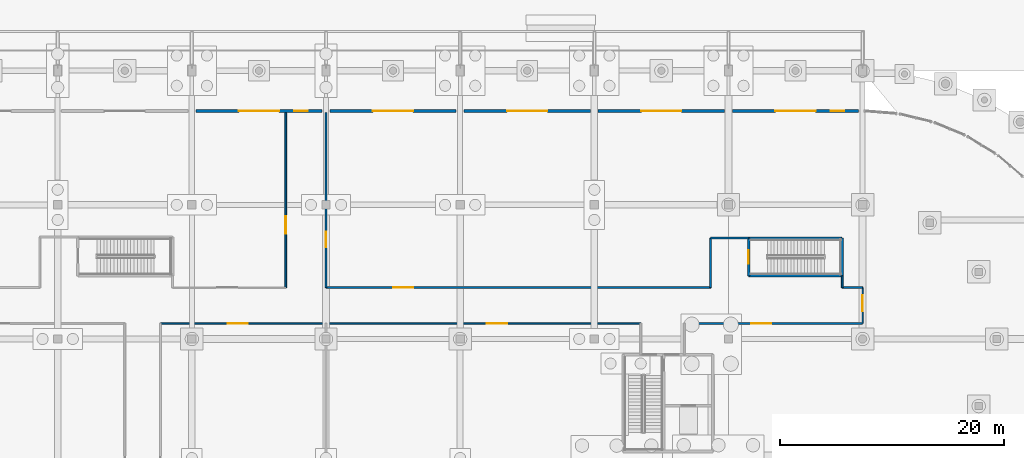
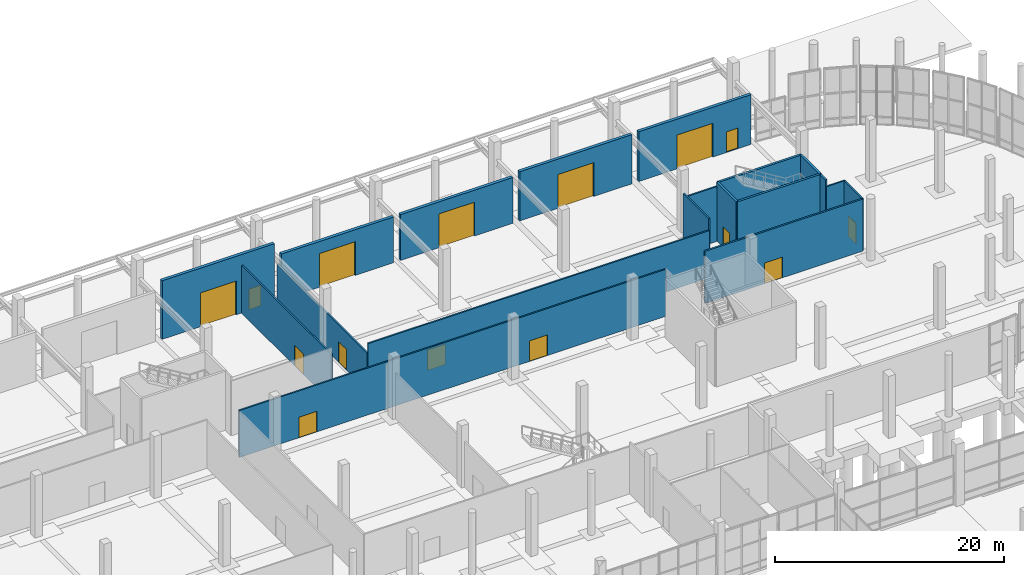
# One storey, part 96 of 117: 19 walls, 15 doors, 15 openings.
"""IFC4 building model written with IfcOpenShell, lengths in metres."""

from ifc_helpers import new_model, si_unit, direction, frame, frame_2d, origin, place, context, subcontext, project, spatial, rectangle, extrude, material, layer, layer_set, type_object, element, fill, save


model = new_model("IFC4")

# Units and contexts
model_context = context("Model", 3, precision=1e-05, world=origin(), true_north=direction((0.0, 1.0)))
body_context = subcontext(model_context, "Body", "Model", "MODEL_VIEW")
ifc_project = project(units=[si_unit("LENGTHUNIT", "METRE"), si_unit("AREAUNIT", "SQUARE_METRE"), si_unit("VOLUMEUNIT", "CUBIC_METRE"), si_unit("PLANEANGLEUNIT", "RADIAN"), si_unit("MASSUNIT", "GRAM", prefix="KILO")], contexts=[model_context])

# Site, building, storey
site_placement = place(None, origin())
site = spatial("IfcSite", under=ifc_project, at=site_placement, CompositionType="ELEMENT")
building_placement = place(site_placement, origin())
building = spatial("IfcBuilding", under=site, at=building_placement, Name="Kamomehara Wholesale Market", CompositionType="ELEMENT")
storey_placement = place(building_placement, origin())
storey = spatial("IfcBuildingStorey", under=building, at=storey_placement, Name="L00", CompositionType="ELEMENT", Elevation=0.0)

# Wall, openings, doors
ifc_material_1 = material(Name="Precast concrete Fc45 (C40/50)", Category="concrete")
ifc_layer_1 = layer(ifc_material_1, 0.300048828125)
ifc_layer_set_1 = layer_set([ifc_layer_1], Name="Precast concrete Fc45 (C40/50)")
wall_type_1 = type_object("IfcWallType", Name="EW-PC-300", PredefinedType="SOLIDWALL", material=ifc_layer_set_1)
wall_1_placement = place(storey_placement, frame((120.35009765625, 152.39990234375, 0.0), z_axis=(0.0, 0.0, 1.0), x_axis=(1.0, 0.0, 0.0)))
wall_1 = element("IfcWall", 1, at=wall_1_placement, inside=storey, type_object=wall_type_1, Name="Exterior wall EW-PC-300 63", PredefinedType="SOLIDWALL", context=body_context, shape_type="SweptSolid", body=[
    extrude(rectangle(XDim=11.2998046875, YDim=0.300048828125, at=frame_2d((5.64990234375, 0.0))), origin(), (0.0, 0.0, 1.0), 6.235107421875),
])
opening_1_placement = place(wall_1_placement, frame((3.85009765625, 0.0, 0.0)))
opening_1 = element("IfcOpeningElement", 2, at=opening_1_placement, cuts=wall_1, Name="Opening DK-14", PredefinedType="OPENING", context=body_context, shape_type="SweptSolid", body=[
    extrude(rectangle(XDim=3.60009765625, YDim=3.60009765625, at=frame_2d((1.800048828125, 1.800048828125))), frame((0.0, 0.1650390625, 0.0), z_axis=(0.0, -1.0, 0.0), x_axis=(1.0, 0.0, 0.0)), (0.0, 0.0, 1.0), 0.329833984375),
])
opening_2_placement = place(wall_1_placement, frame((8.800048828125, 0.0, 0.0)))
opening_2 = element("IfcOpeningElement", 3, at=opening_2_placement, cuts=wall_1, Name="Opening ED-L00-20", PredefinedType="OPENING", context=body_context, shape_type="SweptSolid", body=[
    extrude(rectangle(XDim=1.199951171875, YDim=2.199951171875, at=frame_2d((0.60009765625, 1.10009765625))), frame((0.0, 0.1650390625, 0.0), z_axis=(0.0, -1.0, 0.0), x_axis=(1.0, 0.0, 0.0)), (0.0, 0.0, 1.0), 0.329833984375),
])
ifc_material_2 = material(Name="Steel SN400B", Category="steel")
door_type_1 = type_object("IfcDoorType", Name="EDR-1200x2200", OperationType="NOTDEFINED", PredefinedType="DOOR", material=ifc_material_2)
door_1_placement = place(opening_2_placement, origin())
door_1 = element("IfcDoor", 4, at=door_1_placement, inside=storey, type_object=door_type_1, Name="Produce hall north exit door ED-L00-20", OperationType="SINGLE_SWING_RIGHT", OverallHeight=2.199951171875, OverallWidth=1.199951171875, PredefinedType="DOOR", context=body_context, shape_type="SweptSolid", body=[
    extrude(rectangle(XDim=1.199951171875, YDim=2.199951171875, at=frame_2d((0.60009765625, 1.10009765625))), frame((0.0, 0.02490234375, 0.0), z_axis=(0.0, -1.0, 0.0), x_axis=(1.0, 0.0, 0.0)), (0.0, 0.0, 1.0), 0.050048828125),
])
fill(opening_2, door_1)
ifc_material_3 = material(Name="Steel SN400B", Category="steel")
door_type_2 = type_object("IfcDoorType", Name="EDR-DK-4000x4200", OperationType="ROLLINGUP", PredefinedType="GATE", material=ifc_material_3)
door_2_placement = place(opening_1_placement, origin())
door_2 = element("IfcDoor", 5, at=door_2_placement, inside=storey, type_object=door_type_2, Name="Produce dock roller shutter DK-14", OperationType="ROLLINGUP", OverallHeight=3.60009765625, OverallWidth=3.60009765625, PredefinedType="GATE", context=body_context, shape_type="SweptSolid", body=[
    extrude(rectangle(XDim=3.60009765625, YDim=3.60009765625, at=frame_2d((1.800048828125, 1.800048828125))), frame((0.0, 0.02490234375, 0.0), z_axis=(0.0, -1.0, 0.0), x_axis=(1.0, 0.0, 0.0)), (0.0, 0.0, 1.0), 0.050048828125),
])
fill(opening_1, door_2)

# Wall, opening, door
wall_2_placement = place(storey_placement, frame((132.35009765625, 152.39990234375, 0.0), z_axis=(0.0, 0.0, 1.0), x_axis=(1.0, 0.0, 0.0)))
wall_2 = element("IfcWall", 6, at=wall_2_placement, inside=storey, type_object=wall_type_1, Name="Exterior wall EW-PC-300 64", PredefinedType="SOLIDWALL", context=body_context, shape_type="SweptSolid", body=[
    extrude(rectangle(XDim=11.2998046875, YDim=0.300048828125, at=frame_2d((5.64990234375, 0.0))), origin(), (0.0, 0.0, 1.0), 4.8779296875),
])
opening_3_placement = place(wall_2_placement, frame((3.85009765625, 0.0, 0.0)))
opening_3 = element("IfcOpeningElement", 7, at=opening_3_placement, cuts=wall_2, Name="Opening DK-15", PredefinedType="OPENING", context=body_context, shape_type="SweptSolid", body=[
    extrude(rectangle(XDim=3.60009765625, YDim=3.60009765625, at=frame_2d((1.800048828125, 1.800048828125))), frame((0.0, 0.1650390625, 0.0), z_axis=(0.0, -1.0, 0.0), x_axis=(1.0, 0.0, 0.0)), (0.0, 0.0, 1.0), 0.329833984375),
])
door_3_placement = place(opening_3_placement, origin())
door_3 = element("IfcDoor", 8, at=door_3_placement, inside=storey, type_object=door_type_2, Name="Produce dock roller shutter DK-15", OperationType="ROLLINGUP", OverallHeight=3.60009765625, OverallWidth=3.60009765625, PredefinedType="GATE", context=body_context, shape_type="SweptSolid", body=[
    extrude(rectangle(XDim=3.60009765625, YDim=3.60009765625, at=frame_2d((1.800048828125, 1.800048828125))), frame((0.0, 0.02490234375, 0.0), z_axis=(0.0, -1.0, 0.0), x_axis=(1.0, 0.0, 0.0)), (0.0, 0.0, 1.0), 0.050048828125),
])
fill(opening_3, door_3)

wall_3_placement = place(storey_placement, frame((144.35009765625, 152.39990234375, 0.0), z_axis=(0.0, 0.0, 1.0), x_axis=(1.0, 0.0, 0.0)))
wall_3 = element("IfcWall", 9, at=wall_3_placement, inside=storey, type_object=wall_type_1, Name="Exterior wall EW-PC-300 65", PredefinedType="SOLIDWALL", context=body_context, shape_type="SweptSolid", body=[
    extrude(rectangle(XDim=11.2998046875, YDim=0.300048828125, at=frame_2d((5.64990234375, 0.0))), origin(), (0.0, 0.0, 1.0), 4.8779296875),
])
opening_4_placement = place(wall_3_placement, frame((3.85009765625, 0.0, 0.0)))
opening_4 = element("IfcOpeningElement", 10, at=opening_4_placement, cuts=wall_3, Name="Opening DK-16", PredefinedType="OPENING", context=body_context, shape_type="SweptSolid", body=[
    extrude(rectangle(XDim=3.60009765625, YDim=3.60009765625, at=frame_2d((1.800048828125, 1.800048828125))), frame((0.0, 0.1650390625, 0.0), z_axis=(0.0, -1.0, 0.0), x_axis=(1.0, 0.0, 0.0)), (0.0, 0.0, 1.0), 0.329833984375),
])
door_4_placement = place(opening_4_placement, origin())
door_4 = element("IfcDoor", 11, at=door_4_placement, inside=storey, type_object=door_type_2, Name="Produce dock roller shutter DK-16", OperationType="ROLLINGUP", OverallHeight=3.60009765625, OverallWidth=3.60009765625, PredefinedType="GATE", context=body_context, shape_type="SweptSolid", body=[
    extrude(rectangle(XDim=3.60009765625, YDim=3.60009765625, at=frame_2d((1.800048828125, 1.800048828125))), frame((0.0, 0.02490234375, 0.0), z_axis=(0.0, -1.0, 0.0), x_axis=(1.0, 0.0, 0.0)), (0.0, 0.0, 1.0), 0.050048828125),
])
fill(opening_4, door_4)

wall_4_placement = place(storey_placement, frame((156.35009765625, 152.39990234375, 0.0), z_axis=(0.0, 0.0, 1.0), x_axis=(1.0, 0.0, 0.0)))
wall_4 = element("IfcWall", 12, at=wall_4_placement, inside=storey, type_object=wall_type_1, Name="Exterior wall EW-PC-300 66", PredefinedType="SOLIDWALL", context=body_context, shape_type="SweptSolid", body=[
    extrude(rectangle(XDim=11.2998046875, YDim=0.300048828125, at=frame_2d((5.64990234375, 0.0))), origin(), (0.0, 0.0, 1.0), 5.238037109375),
])
opening_5_placement = place(wall_4_placement, frame((3.85009765625, 0.0, 0.0)))
opening_5 = element("IfcOpeningElement", 13, at=opening_5_placement, cuts=wall_4, Name="Opening DK-17", PredefinedType="OPENING", context=body_context, shape_type="SweptSolid", body=[
    extrude(rectangle(XDim=3.60009765625, YDim=3.60009765625, at=frame_2d((1.800048828125, 1.800048828125))), frame((0.0, 0.1650390625, 0.0), z_axis=(0.0, -1.0, 0.0), x_axis=(1.0, 0.0, 0.0)), (0.0, 0.0, 1.0), 0.329833984375),
])
door_5_placement = place(opening_5_placement, origin())
door_5 = element("IfcDoor", 14, at=door_5_placement, inside=storey, type_object=door_type_2, Name="Produce dock roller shutter DK-17", OperationType="ROLLINGUP", OverallHeight=3.60009765625, OverallWidth=3.60009765625, PredefinedType="GATE", context=body_context, shape_type="SweptSolid", body=[
    extrude(rectangle(XDim=3.60009765625, YDim=3.60009765625, at=frame_2d((1.800048828125, 1.800048828125))), frame((0.0, 0.02490234375, 0.0), z_axis=(0.0, -1.0, 0.0), x_axis=(1.0, 0.0, 0.0)), (0.0, 0.0, 1.0), 0.050048828125),
])
fill(opening_5, door_5)

# Wall, openings, doors
wall_5_placement = place(storey_placement, frame((168.35009765625, 152.39990234375, 0.0), z_axis=(0.0, 0.0, 1.0), x_axis=(1.0, 0.0, 0.0)))
wall_5 = element("IfcWall", 15, at=wall_5_placement, inside=storey, type_object=wall_type_1, Name="Exterior wall EW-PC-300 67", PredefinedType="SOLIDWALL", context=body_context, shape_type="SweptSolid", body=[
    extrude(rectangle(XDim=11.2998046875, YDim=0.300048828125, at=frame_2d((5.64990234375, 0.0))), origin(), (0.0, 0.0, 1.0), 5.298095703125),
])
opening_6_placement = place(wall_5_placement, frame((3.85009765625, 0.0, 0.0)))
opening_6 = element("IfcOpeningElement", 16, at=opening_6_placement, cuts=wall_5, Name="Opening DK-18", PredefinedType="OPENING", context=body_context, shape_type="SweptSolid", body=[
    extrude(rectangle(XDim=3.60009765625, YDim=3.60009765625, at=frame_2d((1.800048828125, 1.800048828125))), frame((0.0, 0.1650390625, 0.0), z_axis=(0.0, -1.0, 0.0), x_axis=(1.0, 0.0, 0.0)), (0.0, 0.0, 1.0), 0.329833984375),
])
opening_7_placement = place(wall_5_placement, frame((8.800048828125, 0.0, 0.0)))
opening_7 = element("IfcOpeningElement", 17, at=opening_7_placement, cuts=wall_5, Name="Opening ED-L00-25", PredefinedType="OPENING", context=body_context, shape_type="SweptSolid", body=[
    extrude(rectangle(XDim=1.199951171875, YDim=2.199951171875, at=frame_2d((0.60009765625, 1.10009765625))), frame((0.0, 0.1650390625, 0.0), z_axis=(0.0, -1.0, 0.0), x_axis=(1.0, 0.0, 0.0)), (0.0, 0.0, 1.0), 0.329833984375),
])
door_6_placement = place(opening_7_placement, origin())
door_6 = element("IfcDoor", 18, at=door_6_placement, inside=storey, type_object=door_type_1, Name="Produce hall north exit door ED-L00-25", OperationType="SINGLE_SWING_RIGHT", OverallHeight=2.199951171875, OverallWidth=1.199951171875, PredefinedType="DOOR", context=body_context, shape_type="SweptSolid", body=[
    extrude(rectangle(XDim=1.199951171875, YDim=2.199951171875, at=frame_2d((0.60009765625, 1.10009765625))), frame((0.0, 0.02490234375, 0.0), z_axis=(0.0, -1.0, 0.0), x_axis=(1.0, 0.0, 0.0)), (0.0, 0.0, 1.0), 0.050048828125),
])
fill(opening_7, door_6)
door_7_placement = place(opening_6_placement, origin())
door_7 = element("IfcDoor", 19, at=door_7_placement, inside=storey, type_object=door_type_2, Name="Produce dock roller shutter DK-18", OperationType="ROLLINGUP", OverallHeight=3.60009765625, OverallWidth=3.60009765625, PredefinedType="GATE", context=body_context, shape_type="SweptSolid", body=[
    extrude(rectangle(XDim=3.60009765625, YDim=3.60009765625, at=frame_2d((1.800048828125, 1.800048828125))), frame((0.0, 0.02490234375, 0.0), z_axis=(0.0, -1.0, 0.0), x_axis=(1.0, 0.0, 0.0)), (0.0, 0.0, 1.0), 0.050048828125),
])
fill(opening_6, door_7)

ifc_material_4 = material(Name="Gypsum board partition")
ifc_layer_2 = layer(ifc_material_4, 0.14990234375)
ifc_layer_set_2 = layer_set([ifc_layer_2], Name="Gypsum board partition")
wall_type_2 = type_object("IfcWallType", Name="IW-PRT-150", PredefinedType="PARTITIONING", material=ifc_layer_set_2)
wall_6_placement = place(storey_placement, frame((117.199951171875, 133.39990234375, 0.0), z_axis=(0.0, 0.0, 1.0), x_axis=(1.0, 0.0, 0.0)))
wall_6 = element("IfcWall", 20, at=wall_6_placement, inside=storey, type_object=wall_type_2, Name="Interior wall IW-PRT-150 200", PredefinedType="PARTITIONING", context=body_context, shape_type="SweptSolid", body=[
    extrude(rectangle(XDim=42.949951171875, YDim=0.14990234375, at=frame_2d((21.47509765625, 0.0))), origin(), (0.0, 0.0, 1.0), 5.0029296875),
])
opening_8_placement = place(wall_6_placement, frame((6.0, 0.0, 0.0)))
opening_8 = element("IfcOpeningElement", 21, at=opening_8_placement, cuts=wall_6, Name="Opening ID-L00-118", PredefinedType="OPENING", context=body_context, shape_type="SweptSolid", body=[
    extrude(rectangle(XDim=1.800048828125, YDim=2.199951171875, at=frame_2d((0.89990234375, 1.10009765625))), frame((0.0, 0.08984375, 0.0), z_axis=(0.0, -1.0, 0.0), x_axis=(1.0, 0.0, 0.0)), (0.0, 0.0, 1.0), 0.1796875),
])
opening_9_placement = place(wall_6_placement, frame((29.199951171875, 0.0, 0.0)))
opening_9 = element("IfcOpeningElement", 22, at=opening_9_placement, cuts=wall_6, Name="Opening ID-L00-119", PredefinedType="OPENING", context=body_context, shape_type="SweptSolid", body=[
    extrude(rectangle(XDim=1.800048828125, YDim=2.199951171875, at=frame_2d((0.89990234375, 1.10009765625))), frame((0.0, 0.08984375, 0.0), z_axis=(0.0, -1.0, 0.0), x_axis=(1.0, 0.0, 0.0)), (0.0, 0.0, 1.0), 0.1796875),
])
ifc_material_5 = material(Name="Steel SN400B", Category="steel")
door_type_3 = type_object("IfcDoorType", Name="IDR-FD-1800x2200", OperationType="NOTDEFINED", PredefinedType="DOOR", material=ifc_material_5)
door_8_placement = place(opening_8_placement, origin())
door_8 = element("IfcDoor", 23, at=door_8_placement, inside=storey, type_object=door_type_3, Name="Interior door ID-L00-118", OperationType="SINGLE_SWING_RIGHT", OverallHeight=2.199951171875, OverallWidth=1.800048828125, PredefinedType="DOOR", context=body_context, shape_type="SweptSolid", body=[
    extrude(rectangle(XDim=1.800048828125, YDim=2.199951171875, at=frame_2d((0.89990234375, 1.10009765625))), frame((0.0, 0.02490234375, 0.0), z_axis=(0.0, -1.0, 0.0), x_axis=(1.0, 0.0, 0.0)), (0.0, 0.0, 1.0), 0.050048828125),
])
fill(opening_8, door_8)
door_9_placement = place(opening_9_placement, origin())
door_9 = element("IfcDoor", 24, at=door_9_placement, inside=storey, type_object=door_type_3, Name="Interior door ID-L00-119", OperationType="SINGLE_SWING_LEFT", OverallHeight=2.199951171875, OverallWidth=1.800048828125, PredefinedType="DOOR", context=body_context, shape_type="SweptSolid", body=[
    extrude(rectangle(XDim=1.800048828125, YDim=2.199951171875, at=frame_2d((0.89990234375, 1.10009765625))), frame((0.0, 0.02490234375, 0.0), z_axis=(0.0, -1.0, 0.0), x_axis=(1.0, 0.0, 0.0)), (0.0, 0.0, 1.0), 0.050048828125),
])
fill(opening_9, door_9)

# Wall, opening, door
wall_7_placement = place(storey_placement, frame((128.39990234375, 136.60009765625, 0.0), z_axis=(0.0, 0.0, 1.0), x_axis=(0.0, 1.0, 0.0)))
wall_7 = element("IfcWall", 25, at=wall_7_placement, inside=storey, type_object=wall_type_2, Name="Interior wall IW-PRT-150 209", PredefinedType="PARTITIONING", context=body_context, shape_type="SweptSolid", body=[
    extrude(rectangle(XDim=15.64990234375, YDim=0.14990234375, at=frame_2d((7.824951171875, 0.0))), origin(), (0.0, 0.0, 1.0), 5.0830078125),
])
opening_10_placement = place(wall_7_placement, frame((4.800048828125, 0.0, 0.0)))
opening_10 = element("IfcOpeningElement", 26, at=opening_10_placement, cuts=wall_7, Name="Opening ID-L00-125", PredefinedType="OPENING", context=body_context, shape_type="SweptSolid", body=[
    extrude(rectangle(XDim=1.60009765625, YDim=2.199951171875, at=frame_2d((0.800048828125, 1.10009765625))), frame((0.0, 0.08984375, 0.0), z_axis=(0.0, -1.0, 0.0), x_axis=(1.0, 0.0, 0.0)), (0.0, 0.0, 1.0), 0.1796875),
])
ifc_material_6 = material(Name="Steel SN400B", Category="steel")
door_type_4 = type_object("IfcDoorType", Name="IDR-FD-1600x2200", OperationType="NOTDEFINED", PredefinedType="DOOR", material=ifc_material_6)
door_10_placement = place(opening_10_placement, origin())
door_10 = element("IfcDoor", 27, at=door_10_placement, inside=storey, type_object=door_type_4, Name="Interior door ID-L00-125", OperationType="SINGLE_SWING_LEFT", OverallHeight=2.199951171875, OverallWidth=1.60009765625, PredefinedType="DOOR", context=body_context, shape_type="SweptSolid", body=[
    extrude(rectangle(XDim=1.60009765625, YDim=2.199951171875, at=frame_2d((0.800048828125, 1.10009765625))), frame((0.0, 0.02490234375, 0.0), z_axis=(0.0, -1.0, 0.0), x_axis=(1.0, 0.0, 0.0)), (0.0, 0.0, 1.0), 0.050048828125),
])
fill(opening_10, door_10)

wall_8_placement = place(storey_placement, frame((132.0, 136.60009765625, 0.0), z_axis=(0.0, 0.0, 1.0), x_axis=(1.0, 0.0, 0.0)))
wall_8 = element("IfcWall", 28, at=wall_8_placement, inside=storey, type_object=wall_type_2, Name="Interior wall IW-PRT-150 210", PredefinedType="PARTITIONING", context=body_context, shape_type="SweptSolid", body=[
    extrude(rectangle(XDim=34.39990234375, YDim=0.14990234375, at=frame_2d((17.199951171875, 0.0))), origin(), (0.0, 0.0, 1.0), 5.0029296875),
])
opening_11_placement = place(wall_8_placement, frame((6.0, 0.0, 0.0)))
opening_11 = element("IfcOpeningElement", 29, at=opening_11_placement, cuts=wall_8, Name="Opening ID-L00-126", PredefinedType="OPENING", context=body_context, shape_type="SweptSolid", body=[
    extrude(rectangle(XDim=1.800048828125, YDim=2.199951171875, at=frame_2d((0.89990234375, 1.10009765625))), frame((0.0, 0.08984375, 0.0), z_axis=(0.0, -1.0, 0.0), x_axis=(1.0, 0.0, 0.0)), (0.0, 0.0, 1.0), 0.1796875),
])
door_11_placement = place(opening_11_placement, origin())
door_11 = element("IfcDoor", 30, at=door_11_placement, inside=storey, type_object=door_type_3, Name="Interior door ID-L00-126", OperationType="SINGLE_SWING_RIGHT", OverallHeight=2.199951171875, OverallWidth=1.800048828125, PredefinedType="DOOR", context=body_context, shape_type="SweptSolid", body=[
    extrude(rectangle(XDim=1.800048828125, YDim=2.199951171875, at=frame_2d((0.89990234375, 1.10009765625))), frame((0.0, 0.02490234375, 0.0), z_axis=(0.0, -1.0, 0.0), x_axis=(1.0, 0.0, 0.0)), (0.0, 0.0, 1.0), 0.050048828125),
])
fill(opening_11, door_11)

# Walls
wall_9_placement = place(storey_placement, frame((166.39990234375, 136.60009765625, 0.0), z_axis=(0.0, 0.0, 1.0), x_axis=(0.0, 1.0, 0.0)))
element("IfcWall", 31, at=wall_9_placement, inside=storey, type_object=wall_type_2, Name="Interior wall IW-PRT-150 211", PredefinedType="PARTITIONING", context=body_context, shape_type="SweptSolid", body=[
    extrude(rectangle(XDim=4.429931640625, YDim=0.14990234375, at=frame_2d((2.21484375, 0.0))), origin(), (0.0, 0.0, 1.0), 6.239990234375),
])
wall_10_placement = place(storey_placement, frame((166.39990234375, 141.030029296875, 0.0), z_axis=(0.0, 0.0, 1.0), x_axis=(1.0, 0.0, 0.0)))
element("IfcWall", 32, at=wall_10_placement, inside=storey, type_object=wall_type_2, Name="Interior wall IW-PRT-150 212", PredefinedType="PARTITIONING", context=body_context, shape_type="SweptSolid", body=[
    extrude(rectangle(XDim=3.400146484375, YDim=0.14990234375, at=frame_2d((1.7001953125, 0.0))), origin(), (0.0, 0.0, 1.0), 5.843017578125),
])
wall_11_placement = place(storey_placement, frame((178.179931640625, 136.60009765625, 0.0), z_axis=(0.0, 0.0, 1.0), x_axis=(1.0, 0.0, 0.0)))
element("IfcWall", 33, at=wall_11_placement, inside=storey, type_object=wall_type_2, Name="Interior wall IW-PRT-150 214", PredefinedType="PARTITIONING", context=body_context, shape_type="SweptSolid", body=[
    extrude(rectangle(XDim=1.820068359375, YDim=0.14990234375, at=frame_2d((0.91015625, 0.0))), origin(), (0.0, 0.0, 1.0), 5.54296875),
])

# Wall, opening, door
wall_12_placement = place(storey_placement, frame((180.0, 133.39990234375, 0.0), z_axis=(0.0, 0.0, 1.0), x_axis=(0.0, 1.0, 0.0)))
wall_12 = element("IfcWall", 34, at=wall_12_placement, inside=storey, type_object=wall_type_2, Name="Interior wall IW-PRT-150 215", PredefinedType="PARTITIONING", context=body_context, shape_type="SweptSolid", body=[
    extrude(rectangle(XDim=3.2001953125, YDim=0.14990234375, at=frame_2d((1.60009765625, 0.0))), origin(), (0.0, 0.0, 1.0), 5.54296875),
])
opening_12_placement = place(wall_12_placement, frame((1.10009765625, 0.0, 0.0)))
opening_12 = element("IfcOpeningElement", 35, at=opening_12_placement, cuts=wall_12, Name="Opening ID-L00-127", PredefinedType="OPENING", context=body_context, shape_type="SweptSolid", body=[
    extrude(rectangle(XDim=1.39990234375, YDim=2.199951171875, at=frame_2d((0.699951171875, 1.10009765625))), frame((0.0, 0.08984375, 0.0), z_axis=(0.0, -1.0, 0.0), x_axis=(1.0, 0.0, 0.0)), (0.0, 0.0, 1.0), 0.1796875),
])
ifc_material_7 = material(Name="Steel SN400B", Category="steel")
door_type_5 = type_object("IfcDoorType", Name="IDR-FD-1400x2200", OperationType="NOTDEFINED", PredefinedType="DOOR", material=ifc_material_7)
door_12_placement = place(opening_12_placement, origin())
door_12 = element("IfcDoor", 36, at=door_12_placement, inside=storey, type_object=door_type_5, Name="Interior door ID-L00-127", OperationType="SINGLE_SWING_LEFT", OverallHeight=2.199951171875, OverallWidth=1.39990234375, PredefinedType="DOOR", context=body_context, shape_type="SweptSolid", body=[
    extrude(rectangle(XDim=1.39990234375, YDim=2.199951171875, at=frame_2d((0.699951171875, 1.10009765625))), frame((0.0, 0.02490234375, 0.0), z_axis=(0.0, -1.0, 0.0), x_axis=(1.0, 0.0, 0.0)), (0.0, 0.0, 1.0), 0.050048828125),
])
fill(opening_12, door_12)

wall_13_placement = place(storey_placement, frame((132.0, 136.60009765625, 0.0), z_axis=(0.0, 0.0, 1.0), x_axis=(0.0, 1.0, 0.0)))
wall_13 = element("IfcWall", 37, at=wall_13_placement, inside=storey, type_object=wall_type_2, Name="Interior wall IW-PRT-150 217", PredefinedType="PARTITIONING", context=body_context, shape_type="SweptSolid", body=[
    extrude(rectangle(XDim=15.64990234375, YDim=0.14990234375, at=frame_2d((7.824951171875, 0.0))), origin(), (0.0, 0.0, 1.0), 3.992919921875),
])
opening_13_placement = place(wall_13_placement, frame((3.60009765625, 0.0, 0.0)))
opening_13 = element("IfcOpeningElement", 38, at=opening_13_placement, cuts=wall_13, Name="Opening ID-L00-129", PredefinedType="OPENING", context=body_context, shape_type="SweptSolid", body=[
    extrude(rectangle(XDim=1.39990234375, YDim=2.199951171875, at=frame_2d((0.699951171875, 1.10009765625))), frame((0.0, 0.08984375, 0.0), z_axis=(0.0, -1.0, 0.0), x_axis=(1.0, 0.0, 0.0)), (0.0, 0.0, 1.0), 0.1796875),
])
door_13_placement = place(opening_13_placement, origin())
door_13 = element("IfcDoor", 39, at=door_13_placement, inside=storey, type_object=door_type_5, Name="Interior door ID-L00-129", OperationType="SINGLE_SWING_LEFT", OverallHeight=2.199951171875, OverallWidth=1.39990234375, PredefinedType="DOOR", context=body_context, shape_type="SweptSolid", body=[
    extrude(rectangle(XDim=1.39990234375, YDim=2.199951171875, at=frame_2d((0.699951171875, 1.10009765625))), frame((0.0, 0.02490234375, 0.0), z_axis=(0.0, -1.0, 0.0), x_axis=(1.0, 0.0, 0.0)), (0.0, 0.0, 1.0), 0.050048828125),
])
fill(opening_13, door_13)

ifc_material_8 = material(Name="Gypsum board partition")
ifc_layer_3 = layer(ifc_material_8, 0.175048828125)
ifc_layer_set_3 = layer_set([ifc_layer_3], Name="Gypsum board partition")
wall_type_3 = type_object("IfcWallType", Name="IW-PRT-175", PredefinedType="PARTITIONING", material=ifc_layer_set_3)
wall_14_placement = place(storey_placement, frame((164.050048828125, 133.39990234375, 0.0), z_axis=(0.0, 0.0, 1.0), x_axis=(1.0, 0.0, 0.0)))
wall_14 = element("IfcWall", 40, at=wall_14_placement, inside=storey, type_object=wall_type_3, Name="Interior wall IW-PRT-175 203", PredefinedType="PARTITIONING", context=body_context, shape_type="SweptSolid", body=[
    extrude(rectangle(XDim=15.949951171875, YDim=0.175048828125, at=frame_2d((7.97509765625, 0.0))), origin(), (0.0, 0.0, 1.0), 5.54296875),
])
opening_14_placement = place(wall_14_placement, frame((6.0, 0.0, 0.0)))
opening_14 = element("IfcOpeningElement", 41, at=opening_14_placement, cuts=wall_14, Name="Opening ID-L00-120", PredefinedType="OPENING", context=body_context, shape_type="SweptSolid", body=[
    extrude(rectangle(XDim=1.800048828125, YDim=2.199951171875, at=frame_2d((0.89990234375, 1.10009765625))), frame((0.0, 0.1025390625, 0.0), z_axis=(0.0, -1.0, 0.0), x_axis=(1.0, 0.0, 0.0)), (0.0, 0.0, 1.0), 0.204833984375),
])
door_14_placement = place(opening_14_placement, origin())
door_14 = element("IfcDoor", 42, at=door_14_placement, inside=storey, type_object=door_type_3, Name="Interior door ID-L00-120", OperationType="SINGLE_SWING_RIGHT", OverallHeight=2.199951171875, OverallWidth=1.800048828125, PredefinedType="DOOR", context=body_context, shape_type="SweptSolid", body=[
    extrude(rectangle(XDim=1.800048828125, YDim=2.199951171875, at=frame_2d((0.89990234375, 1.10009765625))), frame((0.0, 0.02490234375, 0.0), z_axis=(0.0, -1.0, 0.0), x_axis=(1.0, 0.0, 0.0)), (0.0, 0.0, 1.0), 0.050048828125),
])
fill(opening_14, door_14)

# Wall
wall_15_placement = place(storey_placement, frame((178.179931640625, 136.60009765625, 0.0), z_axis=(0.0, 0.0, 1.0), x_axis=(0.0, 1.0, 0.0)))
element("IfcWall", 43, at=wall_15_placement, inside=storey, type_object=wall_type_3, Name="Interior wall IW-PRT-175 213", PredefinedType="PARTITIONING", context=body_context, shape_type="SweptSolid", body=[
    extrude(rectangle(XDim=1.039794921875, YDim=0.175048828125, at=frame_2d((0.52001953125, 0.0))), origin(), (0.0, 0.0, 1.0), 6.25),
])

# Wall, opening, door
ifc_material_9 = material(Name="Concrete Fc36 (C35/45)", Category="concrete")
ifc_layer_4 = layer(ifc_material_9, 0.219970703125)
ifc_layer_set_4 = layer_set([ifc_layer_4], Name="Concrete Fc36 (C35/45)")
wall_type_4 = type_object("IfcWallType", Name="IW-SHR-220", PredefinedType="SHEAR", material=ifc_layer_set_4)
wall_16_placement = place(storey_placement, frame((169.800048828125, 141.030029296875, 0.0), z_axis=(0.0, 0.0, 1.0), x_axis=(0.0, -1.0, 0.0)))
wall_16 = element("IfcWall", 44, at=wall_16_placement, inside=storey, type_object=wall_type_4, Name="Interior wall IW-SHR-220 171", PredefinedType="SHEAR", context=body_context, shape_type="SweptSolid", body=[
    extrude(rectangle(XDim=3.39013671875, YDim=0.219970703125, at=frame_2d((1.695068359375, 0.0))), origin(), (0.0, 0.0, 1.0), 6.260009765625),
])
opening_15_placement = place(wall_16_placement, frame((1.10009765625, 0.0, 0.0)))
opening_15 = element("IfcOpeningElement", 45, at=opening_15_placement, cuts=wall_16, Name="Opening FD-ST-14-L00", PredefinedType="OPENING", context=body_context, shape_type="SweptSolid", body=[
    extrude(rectangle(XDim=1.199951171875, YDim=2.199951171875, at=frame_2d((0.60009765625, 1.10009765625))), frame((0.0, 0.125, 0.0), z_axis=(0.0, -1.0, 0.0), x_axis=(1.0, 0.0, 0.0)), (0.0, 0.0, 1.0), 0.249755859375),
])
ifc_material_10 = material(Name="Steel SN400B", Category="steel")
door_type_6 = type_object("IfcDoorType", Name="IDR-FD-1200x2200", OperationType="NOTDEFINED", PredefinedType="DOOR", material=ifc_material_10)
door_15_placement = place(opening_15_placement, origin())
door_15 = element("IfcDoor", 46, at=door_15_placement, inside=storey, type_object=door_type_6, Name="Stair fire door FD-ST-14-L00", OperationType="SINGLE_SWING_RIGHT", OverallHeight=2.199951171875, OverallWidth=1.199951171875, PredefinedType="DOOR", context=body_context, shape_type="SweptSolid", body=[
    extrude(rectangle(XDim=1.199951171875, YDim=2.199951171875, at=frame_2d((0.60009765625, 1.10009765625))), frame((0.0, 0.02490234375, 0.0), z_axis=(0.0, -1.0, 0.0), x_axis=(1.0, 0.0, 0.0)), (0.0, 0.0, 1.0), 0.050048828125),
])
fill(opening_15, door_15)

# Walls
wall_17_placement = place(storey_placement, frame((169.800048828125, 137.639892578125, 0.0), z_axis=(0.0, 0.0, 1.0), x_axis=(1.0, 0.0, 0.0)))
element("IfcWall", 47, at=wall_17_placement, inside=storey, type_object=wall_type_4, Name="Interior wall IW-SHR-220 172", PredefinedType="SHEAR", context=body_context, shape_type="SweptSolid", body=[
    extrude(rectangle(XDim=8.3798828125, YDim=0.219970703125, at=frame_2d((4.18994140625, 0.0))), origin(), (0.0, 0.0, 1.0), 6.260009765625),
])
wall_18_placement = place(storey_placement, frame((178.179931640625, 137.639892578125, 0.0), z_axis=(0.0, 0.0, 1.0), x_axis=(0.0, 1.0, 0.0)))
element("IfcWall", 48, at=wall_18_placement, inside=storey, type_object=wall_type_4, Name="Interior wall IW-SHR-220 173", PredefinedType="SHEAR", context=body_context, shape_type="SweptSolid", body=[
    extrude(rectangle(XDim=3.39013671875, YDim=0.219970703125, at=frame_2d((1.695068359375, 0.0))), origin(), (0.0, 0.0, 1.0), 6.260009765625),
])
wall_19_placement = place(storey_placement, frame((178.179931640625, 141.030029296875, 0.0), z_axis=(0.0, 0.0, 1.0), x_axis=(-1.0, 0.0, 0.0)))
element("IfcWall", 49, at=wall_19_placement, inside=storey, type_object=wall_type_4, Name="Interior wall IW-SHR-220 174", PredefinedType="SHEAR", context=body_context, shape_type="SweptSolid", body=[
    extrude(rectangle(XDim=8.3798828125, YDim=0.219970703125, at=frame_2d((4.18994140625, 0.0))), origin(), (0.0, 0.0, 1.0), 6.260009765625),
])

save(model, "model.ifc")
